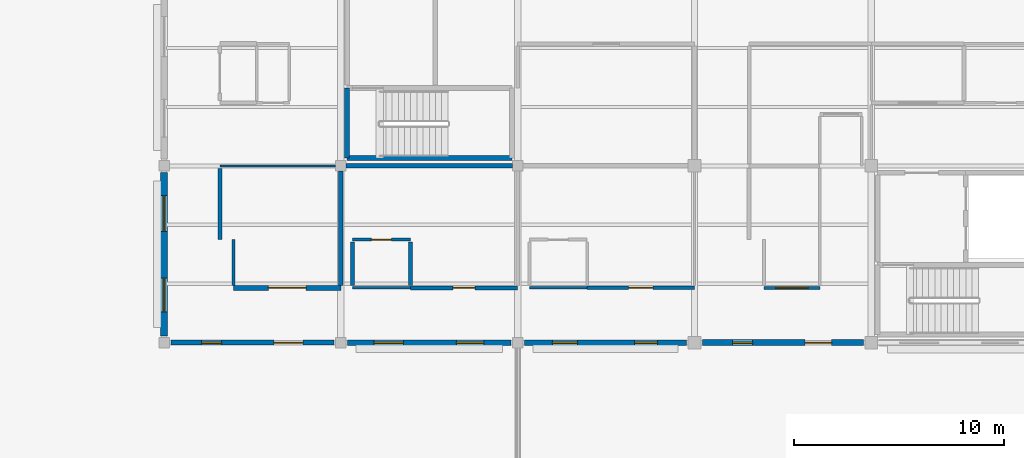
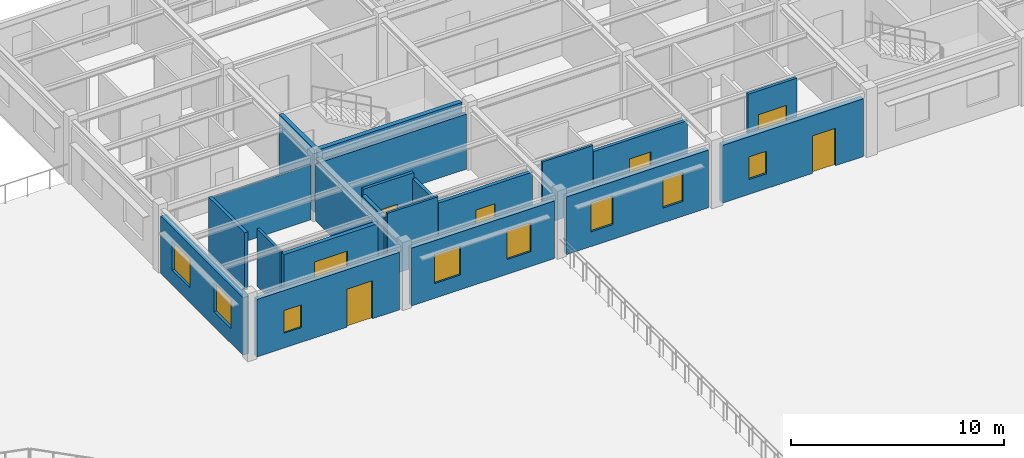
# One storey, part 56 of 86: 21 walls, 8 windows, 7 doors, 15 openings.
"""IFC4 building model written with IfcOpenShell, lengths in metres."""

from ifc_helpers import new_model, si_unit, direction, frame, frame_2d, origin, place, context, subcontext, project, spatial, rectangle, extrude, material, layer, layer_set, type_object, element, fill, save


model = new_model("IFC4")

# Units and contexts
model_context = context("Model", 3, precision=1e-05, world=origin(), true_north=direction((0.0, 1.0)))
body_context = subcontext(model_context, "Body", "Model", "MODEL_VIEW")
ifc_project = project(units=[si_unit("LENGTHUNIT", "METRE"), si_unit("AREAUNIT", "SQUARE_METRE"), si_unit("VOLUMEUNIT", "CUBIC_METRE"), si_unit("PLANEANGLEUNIT", "RADIAN"), si_unit("MASSUNIT", "GRAM", prefix="KILO")], contexts=[model_context])

# Site, building, storey
site_placement = place(None, origin())
site = spatial("IfcSite", under=ifc_project, at=site_placement, CompositionType="ELEMENT")
building_placement = place(site_placement, origin())
building = spatial("IfcBuilding", under=site, at=building_placement, Name="Bramfleet General Hospital", CompositionType="ELEMENT")
storey_placement = place(building_placement, frame((0.0, 0.0, 18.60009765625)))
storey = spatial("IfcBuildingStorey", under=building, at=storey_placement, Name="L04", CompositionType="ELEMENT", Elevation=18.60009765625)

# Wall, openings, windows
ifc_material_1 = material(Name="Precast concrete C40/50", Category="concrete")
ifc_layer_1 = layer(ifc_material_1, 0.3349609375, Name="WT-EW-03")
ifc_layer_set_1 = layer_set([ifc_layer_1], Name="Precast concrete C40/50")
wall_type_1 = type_object("IfcWallType", Name="WT-EW-03", PredefinedType="SOLIDWALL", material=ifc_layer_set_1)
wall_1_placement = place(storey_placement, frame((42.0, 92.72509765625, 0.0), z_axis=(0.0, 0.0, 1.0), x_axis=(0.0, 1.0, 0.0)))
wall_1 = element("IfcWall", 1, at=wall_1_placement, inside=storey, type_object=wall_type_1, Name="L04 Exterior Wall 281", PredefinedType="SOLIDWALL", context=body_context, shape_type="SweptSolid", body=[
    extrude(rectangle(XDim=7.75, YDim=0.3349609375, at=frame_2d((3.875, 0.0))), origin(), (0.0, 0.0, 1.0), 3.2998046875),
])
opening_1_placement = place(wall_1_placement, frame((1.137451171875, 0.0, 0.85009765625)))
opening_1 = element("IfcOpeningElement", 2, at=opening_1_placement, cuts=wall_1, Name="Opening W-36", PredefinedType="OPENING", context=body_context, shape_type="SweptSolid", body=[
    extrude(rectangle(XDim=1.60009765625, YDim=1.659912109375, at=frame_2d((0.800048828125, 0.830078125))), frame((0.0, 0.177490234375, 0.0), z_axis=(0.0, -1.0, 0.0), x_axis=(1.0, 0.0, 0.0)), (0.0, 0.0, 1.0), 0.35498046875),
])
opening_2_placement = place(wall_1_placement, frame((4.96240234375, 0.0, 0.85009765625)))
opening_2 = element("IfcOpeningElement", 3, at=opening_2_placement, cuts=wall_1, Name="Opening W-37", PredefinedType="OPENING", context=body_context, shape_type="SweptSolid", body=[
    extrude(rectangle(XDim=1.699951171875, YDim=1.659912109375, at=frame_2d((0.85009765625, 0.830078125))), frame((0.0, 0.177490234375, 0.0), z_axis=(0.0, -1.0, 0.0), x_axis=(1.0, 0.0, 0.0)), (0.0, 0.0, 1.0), 0.35498046875),
])
ifc_material_2 = material(Name="Anodised aluminium and low-E triple glazing", Category="aluminium")
window_type_1 = type_object("IfcWindowType", Name="WIN-W-36", PartitioningType="SINGLE_PANEL", PredefinedType="WINDOW", material=ifc_material_2)
window_1_placement = place(opening_1_placement, origin())
window_1 = element("IfcWindow", 4, at=window_1_placement, inside=storey, type_object=window_type_1, Name="L04 Facade Window WIN-L04-281-1", OverallHeight=1.659912109375, OverallWidth=1.60009765625, PartitioningType="SINGLE_PANEL", PredefinedType="WINDOW", context=body_context, shape_type="SweptSolid", body=[
    extrude(rectangle(XDim=1.60009765625, YDim=1.659912109375, at=frame_2d((0.800048828125, 0.830078125))), frame((0.0, 0.030029296875, 0.0), z_axis=(0.0, -1.0, 0.0), x_axis=(1.0, 0.0, 0.0)), (0.0, 0.0, 1.0), 0.06005859375),
])
fill(opening_1, window_1)
window_type_2 = type_object("IfcWindowType", Name="WIN-W-37", PartitioningType="SINGLE_PANEL", PredefinedType="WINDOW", material=ifc_material_2)
window_2_placement = place(opening_2_placement, origin())
window_2 = element("IfcWindow", 5, at=window_2_placement, inside=storey, type_object=window_type_2, Name="L04 Facade Window WIN-L04-281-2", OverallHeight=1.659912109375, OverallWidth=1.699951171875, PartitioningType="SINGLE_PANEL", PredefinedType="WINDOW", context=body_context, shape_type="SweptSolid", body=[
    extrude(rectangle(XDim=1.699951171875, YDim=1.659912109375, at=frame_2d((0.85009765625, 0.830078125))), frame((0.0, 0.030029296875, 0.0), z_axis=(0.0, -1.0, 0.0), x_axis=(1.0, 0.0, 0.0)), (0.0, 0.0, 1.0), 0.06005859375),
])
fill(opening_2, window_2)

# Wall, openings, door, window
ifc_layer_2 = layer(ifc_material_1, 0.280029296875, Name="WT-EW-06")
ifc_layer_set_2 = layer_set([ifc_layer_2], Name="Precast concrete C40/50")
wall_type_2 = type_object("IfcWallType", Name="WT-EW-06", PredefinedType="SOLIDWALL", material=ifc_layer_set_2)
wall_2_placement = place(storey_placement, frame((75.22509765625, 92.39990234375, 0.0), z_axis=(0.0, 0.0, 1.0), x_axis=(-1.0, 0.0, 0.0)))
wall_2 = element("IfcWall", 6, at=wall_2_placement, inside=storey, type_object=wall_type_2, Name="L04 Exterior Wall 277", PredefinedType="SOLIDWALL", context=body_context, shape_type="SweptSolid", body=[
    extrude(rectangle(XDim=7.650146484375, YDim=0.280029296875, at=frame_2d((3.8251953125, 0.0))), origin(), (0.0, 0.0, 1.0), 3.309814453125),
])
opening_3_placement = place(wall_2_placement, frame((1.511962890625, 0.0, 0.0)))
opening_3 = element("IfcOpeningElement", 7, at=opening_3_placement, cuts=wall_2, Name="Opening D-L04-TER-021", PredefinedType="OPENING", context=body_context, shape_type="SweptSolid", body=[
    extrude(rectangle(XDim=1.260009765625, YDim=2.14990234375, at=frame_2d((0.6298828125, 1.074951171875))), frame((0.0, 0.14990234375, 0.0), z_axis=(0.0, -1.0, 0.0), x_axis=(1.0, 0.0, 0.0)), (0.0, 0.0, 1.0), 0.300048828125),
])
opening_4_placement = place(wall_2_placement, frame((5.262451171875, 0.0, 0.85009765625)))
opening_4 = element("IfcOpeningElement", 8, at=opening_4_placement, cuts=wall_2, Name="Opening W-01", PredefinedType="OPENING", context=body_context, shape_type="SweptSolid", body=[
    extrude(rectangle(XDim=0.949951171875, YDim=1.300048828125, at=frame_2d((0.47509765625, 0.64990234375))), frame((0.0, 0.14990234375, 0.0), z_axis=(0.0, -1.0, 0.0), x_axis=(1.0, 0.0, 0.0)), (0.0, 0.0, 1.0), 0.300048828125),
])
ifc_material_3 = material(Name="Thermally broken steel and laminated safety glass", Category="steel")
door_type_1 = type_object("IfcDoorType", Name="DR-ED-05", OperationType="NOTDEFINED", PredefinedType="DOOR", material=ifc_material_3)
door_1_placement = place(opening_3_placement, origin())
door_1 = element("IfcDoor", 9, at=door_1_placement, inside=storey, type_object=door_type_1, Name="L04 Terrace/Helipad Access Door D-L04-TER-021", OperationType="SINGLE_SWING_RIGHT", OverallHeight=2.14990234375, OverallWidth=1.260009765625, PredefinedType="DOOR", context=body_context, shape_type="SweptSolid", body=[
    extrude(rectangle(XDim=1.260009765625, YDim=2.14990234375, at=frame_2d((0.6298828125, 1.074951171875))), frame((0.0, 0.02490234375, 0.0), z_axis=(0.0, -1.0, 0.0), x_axis=(1.0, 0.0, 0.0)), (0.0, 0.0, 1.0), 0.050048828125),
])
fill(opening_3, door_1)
window_type_3 = type_object("IfcWindowType", Name="WIN-W-01", PartitioningType="SINGLE_PANEL", PredefinedType="WINDOW", material=ifc_material_2)
window_3_placement = place(opening_4_placement, origin())
window_3 = element("IfcWindow", 10, at=window_3_placement, inside=storey, type_object=window_type_3, Name="L04 Facade Window WIN-L04-277-TER", OverallHeight=1.300048828125, OverallWidth=0.949951171875, PartitioningType="SINGLE_PANEL", PredefinedType="WINDOW", context=body_context, shape_type="SweptSolid", body=[
    extrude(rectangle(XDim=0.949951171875, YDim=1.300048828125, at=frame_2d((0.47509765625, 0.64990234375))), frame((0.0, 0.030029296875, 0.0), z_axis=(0.0, -1.0, 0.0), x_axis=(1.0, 0.0, 0.0)), (0.0, 0.0, 1.0), 0.06005859375),
])
fill(opening_4, window_3)

# Wall, openings, windows
ifc_layer_3 = layer(ifc_material_1, 0.264892578125, Name="WT-EW-07")
ifc_layer_set_3 = layer_set([ifc_layer_3], Name="Precast concrete C40/50")
wall_type_3 = type_object("IfcWallType", Name="WT-EW-07", PredefinedType="SOLIDWALL", material=ifc_layer_set_3)
wall_3_placement = place(storey_placement, frame((66.824951171875, 92.39990234375, 0.0), z_axis=(0.0, 0.0, 1.0), x_axis=(-1.0, 0.0, 0.0)))
wall_3 = element("IfcWall", 11, at=wall_3_placement, inside=storey, type_object=wall_type_3, Name="L04 Exterior Wall 278", PredefinedType="SOLIDWALL", context=body_context, shape_type="SweptSolid", body=[
    extrude(rectangle(XDim=7.699951171875, YDim=0.264892578125, at=frame_2d((3.85009765625, 0.0))), origin(), (0.0, 0.0, 1.0), 3.309814453125),
])
opening_5_placement = place(wall_3_placement, frame((1.375, 0.0, 0.85009765625)))
opening_5 = element("IfcOpeningElement", 12, at=opening_5_placement, cuts=wall_3, Name="Opening W-31", PredefinedType="OPENING", context=body_context, shape_type="SweptSolid", body=[
    extrude(rectangle(XDim=1.10009765625, YDim=1.659912109375, at=frame_2d((0.550048828125, 0.830078125))), frame((0.0, 0.142333984375, 0.0), z_axis=(0.0, -1.0, 0.0), x_axis=(1.0, 0.0, 0.0)), (0.0, 0.0, 1.0), 0.284912109375),
])
opening_6_placement = place(wall_3_placement, frame((5.175048828125, 0.0, 0.85009765625)))
opening_6 = element("IfcOpeningElement", 13, at=opening_6_placement, cuts=wall_3, Name="Opening W-32", PredefinedType="OPENING", context=body_context, shape_type="SweptSolid", body=[
    extrude(rectangle(XDim=1.199951171875, YDim=1.659912109375, at=frame_2d((0.60009765625, 0.830078125))), frame((0.0, 0.142333984375, 0.0), z_axis=(0.0, -1.0, 0.0), x_axis=(1.0, 0.0, 0.0)), (0.0, 0.0, 1.0), 0.284912109375),
])
window_type_4 = type_object("IfcWindowType", Name="WIN-W-31", PartitioningType="SINGLE_PANEL", PredefinedType="WINDOW", material=ifc_material_2)
window_4_placement = place(opening_5_placement, origin())
window_4 = element("IfcWindow", 14, at=window_4_placement, inside=storey, type_object=window_type_4, Name="L04 Facade Window WIN-L04-278-1", OverallHeight=1.659912109375, OverallWidth=1.10009765625, PartitioningType="SINGLE_PANEL", PredefinedType="WINDOW", context=body_context, shape_type="SweptSolid", body=[
    extrude(rectangle(XDim=1.10009765625, YDim=1.659912109375, at=frame_2d((0.550048828125, 0.830078125))), frame((0.0, 0.030029296875, 0.0), z_axis=(0.0, -1.0, 0.0), x_axis=(1.0, 0.0, 0.0)), (0.0, 0.0, 1.0), 0.06005859375),
])
fill(opening_5, window_4)
window_type_5 = type_object("IfcWindowType", Name="WIN-W-32", PartitioningType="SINGLE_PANEL", PredefinedType="WINDOW", material=ifc_material_2)
window_5_placement = place(opening_6_placement, origin())
window_5 = element("IfcWindow", 15, at=window_5_placement, inside=storey, type_object=window_type_5, Name="L04 Facade Window WIN-L04-278-2", OverallHeight=1.659912109375, OverallWidth=1.199951171875, PartitioningType="SINGLE_PANEL", PredefinedType="WINDOW", context=body_context, shape_type="SweptSolid", body=[
    extrude(rectangle(XDim=1.199951171875, YDim=1.659912109375, at=frame_2d((0.60009765625, 0.830078125))), frame((0.0, 0.030029296875, 0.0), z_axis=(0.0, -1.0, 0.0), x_axis=(1.0, 0.0, 0.0)), (0.0, 0.0, 1.0), 0.06005859375),
])
fill(opening_6, window_5)

ifc_layer_4 = layer(ifc_material_1, 0.25, Name="WT-EW-08")
ifc_layer_set_4 = layer_set([ifc_layer_4], Name="Precast concrete C40/50")
wall_type_4 = type_object("IfcWallType", Name="WT-EW-08", PredefinedType="SOLIDWALL", material=ifc_layer_set_4)
wall_4_placement = place(storey_placement, frame((58.47509765625, 92.39990234375, 0.0), z_axis=(0.0, 0.0, 1.0), x_axis=(-1.0, 0.0, 0.0)))
wall_4 = element("IfcWall", 16, at=wall_4_placement, inside=storey, type_object=wall_type_4, Name="L04 Exterior Wall 279", PredefinedType="SOLIDWALL", context=body_context, shape_type="SweptSolid", body=[
    extrude(rectangle(XDim=7.75, YDim=0.25, at=frame_2d((3.875, 0.0))), origin(), (0.0, 0.0, 1.0), 3.309814453125),
])
opening_7_placement = place(wall_4_placement, frame((1.28759765625, 0.0, 0.85009765625)))
opening_7 = element("IfcOpeningElement", 17, at=opening_7_placement, cuts=wall_4, Name="Opening W-33", PredefinedType="OPENING", context=body_context, shape_type="SweptSolid", body=[
    extrude(rectangle(XDim=1.300048828125, YDim=1.659912109375, at=frame_2d((0.64990234375, 0.830078125))), frame((0.0, 0.135009765625, 0.0), z_axis=(0.0, -1.0, 0.0), x_axis=(1.0, 0.0, 0.0)), (0.0, 0.0, 1.0), 0.27001953125),
])
opening_8_placement = place(wall_4_placement, frame((5.112548828125, 0.0, 0.85009765625)))
opening_8 = element("IfcOpeningElement", 18, at=opening_8_placement, cuts=wall_4, Name="Opening W-34", PredefinedType="OPENING", context=body_context, shape_type="SweptSolid", body=[
    extrude(rectangle(XDim=1.39990234375, YDim=1.659912109375, at=frame_2d((0.699951171875, 0.830078125))), frame((0.0, 0.135009765625, 0.0), z_axis=(0.0, -1.0, 0.0), x_axis=(1.0, 0.0, 0.0)), (0.0, 0.0, 1.0), 0.27001953125),
])
window_type_6 = type_object("IfcWindowType", Name="WIN-W-33", PartitioningType="SINGLE_PANEL", PredefinedType="WINDOW", material=ifc_material_2)
window_6_placement = place(opening_7_placement, origin())
window_6 = element("IfcWindow", 19, at=window_6_placement, inside=storey, type_object=window_type_6, Name="L04 Facade Window WIN-L04-279-1", OverallHeight=1.659912109375, OverallWidth=1.300048828125, PartitioningType="SINGLE_PANEL", PredefinedType="WINDOW", context=body_context, shape_type="SweptSolid", body=[
    extrude(rectangle(XDim=1.300048828125, YDim=1.659912109375, at=frame_2d((0.64990234375, 0.830078125))), frame((0.0, 0.030029296875, 0.0), z_axis=(0.0, -1.0, 0.0), x_axis=(1.0, 0.0, 0.0)), (0.0, 0.0, 1.0), 0.06005859375),
])
fill(opening_7, window_6)
window_type_7 = type_object("IfcWindowType", Name="WIN-W-34", PartitioningType="SINGLE_PANEL", PredefinedType="WINDOW", material=ifc_material_2)
window_7_placement = place(opening_8_placement, origin())
window_7 = element("IfcWindow", 20, at=window_7_placement, inside=storey, type_object=window_type_7, Name="L04 Facade Window WIN-L04-279-2", OverallHeight=1.659912109375, OverallWidth=1.39990234375, PartitioningType="SINGLE_PANEL", PredefinedType="WINDOW", context=body_context, shape_type="SweptSolid", body=[
    extrude(rectangle(XDim=1.39990234375, YDim=1.659912109375, at=frame_2d((0.699951171875, 0.830078125))), frame((0.0, 0.030029296875, 0.0), z_axis=(0.0, -1.0, 0.0), x_axis=(1.0, 0.0, 0.0)), (0.0, 0.0, 1.0), 0.06005859375),
])
fill(opening_8, window_7)

# Wall, openings, door, window
ifc_layer_5 = layer(ifc_material_1, 0.235107421875, Name="WT-EW-09")
ifc_layer_set_5 = layer_set([ifc_layer_5], Name="Precast concrete C40/50")
wall_type_5 = type_object("IfcWallType", Name="WT-EW-09", PredefinedType="SOLIDWALL", material=ifc_layer_set_5)
wall_5_placement = place(storey_placement, frame((50.074951171875, 92.39990234375, 0.0), z_axis=(0.0, 0.0, 1.0), x_axis=(-1.0, 0.0, 0.0)))
wall_5 = element("IfcWall", 21, at=wall_5_placement, inside=storey, type_object=wall_type_5, Name="L04 Exterior Wall 280", PredefinedType="SOLIDWALL", context=body_context, shape_type="SweptSolid", body=[
    extrude(rectangle(XDim=7.75, YDim=0.235107421875, at=frame_2d((3.875, 0.0))), origin(), (0.0, 0.0, 1.0), 3.2998046875),
])
opening_9_placement = place(wall_5_placement, frame((1.47998046875, 0.0, 0.0)))
opening_9 = element("IfcOpeningElement", 22, at=opening_9_placement, cuts=wall_5, Name="Opening D-L04-TER-022", PredefinedType="OPENING", context=body_context, shape_type="SweptSolid", body=[
    extrude(rectangle(XDim=1.3798828125, YDim=2.179931640625, at=frame_2d((0.68994140625, 1.08984375))), frame((0.0, 0.12744140625, 0.0), z_axis=(0.0, -1.0, 0.0), x_axis=(1.0, 0.0, 0.0)), (0.0, 0.0, 1.0), 0.255126953125),
])
opening_10_placement = place(wall_5_placement, frame((5.33740234375, 0.0, 0.85009765625)))
opening_10 = element("IfcOpeningElement", 23, at=opening_10_placement, cuts=wall_5, Name="Opening W-01", PredefinedType="OPENING", context=body_context, shape_type="SweptSolid", body=[
    extrude(rectangle(XDim=0.949951171875, YDim=1.300048828125, at=frame_2d((0.47509765625, 0.64990234375))), frame((0.0, 0.12744140625, 0.0), z_axis=(0.0, -1.0, 0.0), x_axis=(1.0, 0.0, 0.0)), (0.0, 0.0, 1.0), 0.255126953125),
])
door_type_2 = type_object("IfcDoorType", Name="DR-ED-04", OperationType="NOTDEFINED", PredefinedType="DOOR", material=ifc_material_3)
door_2_placement = place(opening_9_placement, origin())
door_2 = element("IfcDoor", 24, at=door_2_placement, inside=storey, type_object=door_type_2, Name="L04 Terrace/Helipad Access Door D-L04-TER-022", OperationType="SINGLE_SWING_LEFT", OverallHeight=2.179931640625, OverallWidth=1.3798828125, PredefinedType="DOOR", context=body_context, shape_type="SweptSolid", body=[
    extrude(rectangle(XDim=1.3798828125, YDim=2.179931640625, at=frame_2d((0.68994140625, 1.08984375))), frame((0.0, 0.02490234375, 0.0), z_axis=(0.0, -1.0, 0.0), x_axis=(1.0, 0.0, 0.0)), (0.0, 0.0, 1.0), 0.050048828125),
])
fill(opening_9, door_2)
window_8_placement = place(opening_10_placement, origin())
window_8 = element("IfcWindow", 25, at=window_8_placement, inside=storey, type_object=window_type_3, Name="L04 Facade Window WIN-L04-280-TER", OverallHeight=1.300048828125, OverallWidth=0.949951171875, PartitioningType="SINGLE_PANEL", PredefinedType="WINDOW", context=body_context, shape_type="SweptSolid", body=[
    extrude(rectangle(XDim=0.949951171875, YDim=1.300048828125, at=frame_2d((0.47509765625, 0.64990234375))), frame((0.0, 0.030029296875, 0.0), z_axis=(0.0, -1.0, 0.0), x_axis=(1.0, 0.0, 0.0)), (0.0, 0.0, 1.0), 0.06005859375),
])
fill(opening_10, window_8)

# Wall, opening, door
ifc_material_4 = material(Name="Concrete C35/45", Category="concrete")
ifc_layer_6 = layer(ifc_material_4, 0.219970703125, Name="WT-IW-01")
ifc_layer_set_6 = layer_set([ifc_layer_6], Name="Concrete C35/45")
wall_type_6 = type_object("IfcWallType", Name="WT-IW-01", PredefinedType="PARTITIONING", material=ifc_layer_set_6)
wall_6_placement = place(storey_placement, frame((45.300048828125, 95.0, 0.0), z_axis=(0.0, 0.0, 1.0), x_axis=(1.0, 0.0, 0.0)))
wall_6 = element("IfcWall", 26, at=wall_6_placement, inside=storey, type_object=wall_type_6, Name="L04 Interior Partition IW-L04-3181", PredefinedType="PARTITIONING", context=body_context, shape_type="SweptSolid", body=[
    extrude(rectangle(XDim=5.099853515625, YDim=0.219970703125, at=frame_2d((2.5498046875, 0.0))), origin(), (0.0, 0.0, 1.0), 3.25),
])
opening_11_placement = place(wall_6_placement, frame((1.64990234375, 0.0, 0.0)))
opening_11 = element("IfcOpeningElement", 27, at=opening_11_placement, cuts=wall_6, Name="Opening D1221", PredefinedType="OPENING", context=body_context, shape_type="SweptSolid", body=[
    extrude(rectangle(XDim=1.800048828125, YDim=2.25, at=frame_2d((0.89990234375, 1.125))), frame((0.0, 0.119873046875, 0.0), z_axis=(0.0, -1.0, 0.0), x_axis=(1.0, 0.0, 0.0)), (0.0, 0.0, 1.0), 0.239990234375),
])
ifc_material_5 = material(Name="Stainless steel and acoustic timber leaf", Category="steel")
door_type_3 = type_object("IfcDoorType", Name="DR-D-05", OperationType="NOTDEFINED", PredefinedType="DOOR", material=ifc_material_5)
door_3_placement = place(opening_11_placement, origin())
door_3 = element("IfcDoor", 28, at=door_3_placement, inside=storey, type_object=door_type_3, Name="Surgical Inpatient Ward Bedroom L04-0511 Door D1221", OperationType="DOUBLE_SWING_RIGHT", OverallHeight=2.25, OverallWidth=1.800048828125, PredefinedType="DOOR", context=body_context, shape_type="SweptSolid", body=[
    extrude(rectangle(XDim=1.800048828125, YDim=2.25, at=frame_2d((0.89990234375, 1.125))), frame((0.0, 0.02490234375, 0.0), z_axis=(0.0, -1.0, 0.0), x_axis=(1.0, 0.0, 0.0)), (0.0, 0.0, 1.0), 0.050048828125),
])
fill(opening_11, door_3)

# Walls
wall_7_placement = place(storey_placement, frame((50.64501953125, 100.800048828125, 0.0), z_axis=(0.0, 0.0, 1.0), x_axis=(1.0, 0.0, 0.0)))
element("IfcWall", 29, at=wall_7_placement, inside=storey, type_object=wall_type_6, Name="L04 Interior Partition IW-L04-3205", PredefinedType="PARTITIONING", context=body_context, shape_type="SweptSolid", body=[
    extrude(rectangle(XDim=7.909912109375, YDim=0.219970703125, at=frame_2d((3.955078125, 0.0))), origin(), (0.0, 0.0, 1.0), 3.159912109375),
])
wall_8_placement = place(storey_placement, frame((50.39990234375, 95.114990234375, 0.0), z_axis=(0.0, 0.0, 1.0), x_axis=(0.0, 1.0, 0.0)))
element("IfcWall", 30, at=wall_8_placement, inside=storey, type_object=wall_type_6, Name="L04 Interior Partition IW-L04-3289", PredefinedType="PARTITIONING", context=body_context, shape_type="SweptSolid", body=[
    extrude(rectangle(XDim=5.43994140625, YDim=0.219970703125, at=frame_2d((2.719970703125, 0.0))), origin(), (0.0, 0.0, 1.0), 3.25),
])

# Wall, opening, door
ifc_layer_7 = layer(ifc_material_4, 0.18994140625, Name="WT-IW-03")
ifc_layer_set_7 = layer_set([ifc_layer_7], Name="Concrete C35/45")
wall_type_7 = type_object("IfcWallType", Name="WT-IW-03", PredefinedType="PARTITIONING", material=ifc_layer_set_7)
wall_9_placement = place(storey_placement, frame((53.699951171875, 95.0, 0.0), z_axis=(0.0, 0.0, 1.0), x_axis=(1.0, 0.0, 0.0)))
wall_9 = element("IfcWall", 31, at=wall_9_placement, inside=storey, type_object=wall_type_7, Name="L04 Interior Partition IW-L04-3183", PredefinedType="PARTITIONING", context=body_context, shape_type="SweptSolid", body=[
    extrude(rectangle(XDim=5.10009765625, YDim=0.18994140625, at=frame_2d((2.550048828125, 0.0))), origin(), (0.0, 0.0, 1.0), 3.260009765625),
])
opening_12_placement = place(wall_9_placement, frame((2.02490234375, 0.0, 0.0)))
opening_12 = element("IfcOpeningElement", 32, at=opening_12_placement, cuts=wall_9, Name="Opening D1225", PredefinedType="OPENING", context=body_context, shape_type="SweptSolid", body=[
    extrude(rectangle(XDim=1.050048828125, YDim=2.14990234375, at=frame_2d((0.52490234375, 1.074951171875))), frame((0.0, 0.10498046875, 0.0), z_axis=(0.0, -1.0, 0.0), x_axis=(1.0, 0.0, 0.0)), (0.0, 0.0, 1.0), 0.2099609375),
])
door_type_4 = type_object("IfcDoorType", Name="DR-D-09", OperationType="NOTDEFINED", PredefinedType="DOOR", material=ifc_material_5)
door_4_placement = place(opening_12_placement, origin())
door_4 = element("IfcDoor", 33, at=door_4_placement, inside=storey, type_object=door_type_4, Name="Surgical Inpatient Ward Bedroom L04-0611 Door D1225", OperationType="SINGLE_SWING_RIGHT", OverallHeight=2.14990234375, OverallWidth=1.050048828125, PredefinedType="DOOR", context=body_context, shape_type="SweptSolid", body=[
    extrude(rectangle(XDim=1.050048828125, YDim=2.14990234375, at=frame_2d((0.52490234375, 1.074951171875))), frame((0.0, 0.02490234375, 0.0), z_axis=(0.0, -1.0, 0.0), x_axis=(1.0, 0.0, 0.0)), (0.0, 0.0, 1.0), 0.050048828125),
])
fill(opening_12, door_4)

# Walls
wall_10_placement = place(storey_placement, frame((50.949951171875, 95.114990234375, 0.0), z_axis=(0.0, 0.0, 1.0), x_axis=(0.0, 1.0, 0.0)))
element("IfcWall", 34, at=wall_10_placement, inside=storey, type_object=wall_type_7, Name="L04 Interior Partition IW-L04-3291", PredefinedType="PARTITIONING", context=body_context, shape_type="SweptSolid", body=[
    extrude(rectangle(XDim=2.070068359375, YDim=0.18994140625, at=frame_2d((1.03515625, 0.0))), origin(), (0.0, 0.0, 1.0), 3.309814453125),
])
ifc_layer_8 = layer(ifc_material_4, 0.179931640625, Name="WT-IW-04")
ifc_layer_set_8 = layer_set([ifc_layer_8], Name="Concrete C35/45")
wall_type_8 = type_object("IfcWallType", Name="WT-IW-04", PredefinedType="PARTITIONING", material=ifc_layer_set_8)
wall_11_placement = place(storey_placement, frame((44.64990234375, 97.300048828125, 0.0), z_axis=(0.0, 0.0, 1.0), x_axis=(0.0, 1.0, 0.0)))
element("IfcWall", 35, at=wall_11_placement, inside=storey, type_object=wall_type_8, Name="L04 Interior Partition IW-L04-3280", PredefinedType="PARTITIONING", context=body_context, shape_type="SweptSolid", body=[
    extrude(rectangle(XDim=3.385009765625, YDim=0.179931640625, at=frame_2d((1.6923828125, 0.0))), origin(), (0.0, 0.0, 1.0), 3.2998046875),
])
wall_12_placement = place(storey_placement, frame((53.699951171875, 95.114990234375, 0.0), z_axis=(0.0, 0.0, 1.0), x_axis=(0.0, 1.0, 0.0)))
element("IfcWall", 36, at=wall_12_placement, inside=storey, type_object=wall_type_8, Name="L04 Interior Partition IW-L04-3292", PredefinedType="PARTITIONING", context=body_context, shape_type="SweptSolid", body=[
    extrude(rectangle(XDim=2.070068359375, YDim=0.179931640625, at=frame_2d((1.03515625, 0.0))), origin(), (0.0, 0.0, 1.0), 3.309814453125),
])

# Wall, opening, door
ifc_material_6 = material(Name="Gypsum plasterboard on acoustic steel studs", Category="steel")
ifc_layer_9 = layer(ifc_material_6, 0.169921875, Name="WT-IW-05")
ifc_layer_set_9 = layer_set([ifc_layer_9], Name="Gypsum plasterboard on acoustic steel studs")
wall_type_9 = type_object("IfcWallType", Name="WT-IW-05", PredefinedType="PARTITIONING", material=ifc_layer_set_9)
wall_13_placement = place(storey_placement, frame((62.10009765625, 95.0, 0.0), z_axis=(0.0, 0.0, 1.0), x_axis=(1.0, 0.0, 0.0)))
wall_13 = element("IfcWall", 37, at=wall_13_placement, inside=storey, type_object=wall_type_9, Name="L04 Interior Partition IW-L04-3185", PredefinedType="PARTITIONING", context=body_context, shape_type="SweptSolid", body=[
    extrude(rectangle(XDim=5.099853515625, YDim=0.169921875, at=frame_2d((2.5498046875, 0.0))), origin(), (0.0, 0.0, 1.0), 3.260009765625),
])
opening_13_placement = place(wall_13_placement, frame((1.97509765625, 0.0, 0.0)))
opening_13 = element("IfcOpeningElement", 38, at=opening_13_placement, cuts=wall_13, Name="Opening D1228", PredefinedType="OPENING", context=body_context, shape_type="SweptSolid", body=[
    extrude(rectangle(XDim=1.14990234375, YDim=2.14990234375, at=frame_2d((0.574951171875, 1.074951171875))), frame((0.0, 0.094970703125, 0.0), z_axis=(0.0, -1.0, 0.0), x_axis=(1.0, 0.0, 0.0)), (0.0, 0.0, 1.0), 0.18994140625),
])
door_type_5 = type_object("IfcDoorType", Name="DR-D-12", OperationType="NOTDEFINED", PredefinedType="DOOR", material=ifc_material_5)
door_5_placement = place(opening_13_placement, origin())
door_5 = element("IfcDoor", 39, at=door_5_placement, inside=storey, type_object=door_type_5, Name="Surgical Inpatient Ward Bedroom L04-0711 Door D1228", OperationType="SINGLE_SWING_LEFT", OverallHeight=2.14990234375, OverallWidth=1.14990234375, PredefinedType="DOOR", context=body_context, shape_type="SweptSolid", body=[
    extrude(rectangle(XDim=1.14990234375, YDim=2.14990234375, at=frame_2d((0.574951171875, 1.074951171875))), frame((0.0, 0.02490234375, 0.0), z_axis=(0.0, -1.0, 0.0), x_axis=(1.0, 0.0, 0.0)), (0.0, 0.0, 1.0), 0.050048828125),
])
fill(opening_13, door_5)

ifc_layer_10 = layer(ifc_material_6, 0.159912109375, Name="WT-IW-06")
ifc_layer_set_10 = layer_set([ifc_layer_10], Name="Gypsum plasterboard on acoustic steel studs")
wall_type_10 = type_object("IfcWallType", Name="WT-IW-06", PredefinedType="PARTITIONING", material=ifc_layer_set_10)
wall_14_placement = place(storey_placement, frame((70.5, 95.0, 0.0), z_axis=(0.0, 0.0, 1.0), x_axis=(1.0, 0.0, 0.0)))
wall_14 = element("IfcWall", 40, at=wall_14_placement, inside=storey, type_object=wall_type_10, Name="L04 Interior Partition IW-L04-3186", PredefinedType="PARTITIONING", context=body_context, shape_type="SweptSolid", body=[
    extrude(rectangle(XDim=2.64990234375, YDim=0.159912109375, at=frame_2d((1.324951171875, 0.0))), origin(), (0.0, 0.0, 1.0), 3.60986328125),
])
opening_14_placement = place(wall_14_placement, frame((0.554931640625, 0.0, 0.0)))
opening_14 = element("IfcOpeningElement", 41, at=opening_14_placement, cuts=wall_14, Name="Opening D1233", PredefinedType="OPENING", context=body_context, shape_type="SweptSolid", body=[
    extrude(rectangle(XDim=1.5400390625, YDim=2.239990234375, at=frame_2d((0.77001953125, 1.1201171875))), frame((0.0, 0.08984375, 0.0), z_axis=(0.0, -1.0, 0.0), x_axis=(1.0, 0.0, 0.0)), (0.0, 0.0, 1.0), 0.179931640625),
])
door_type_6 = type_object("IfcDoorType", Name="DR-D-17", OperationType="NOTDEFINED", PredefinedType="DOOR", material=ifc_material_5)
door_6_placement = place(opening_14_placement, origin())
door_6 = element("IfcDoor", 42, at=door_6_placement, inside=storey, type_object=door_type_6, Name="Surgical Inpatient Ward Bedroom L04-0811 Door D1233", OperationType="SINGLE_SWING_RIGHT", OverallHeight=2.239990234375, OverallWidth=1.5400390625, PredefinedType="DOOR", context=body_context, shape_type="SweptSolid", body=[
    extrude(rectangle(XDim=1.5400390625, YDim=2.239990234375, at=frame_2d((0.77001953125, 1.1201171875))), frame((0.0, 0.02490234375, 0.0), z_axis=(0.0, -1.0, 0.0), x_axis=(1.0, 0.0, 0.0)), (0.0, 0.0, 1.0), 0.050048828125),
])
fill(opening_14, door_6)

wall_15_placement = place(storey_placement, frame((50.949951171875, 97.300048828125, 0.0), z_axis=(0.0, 0.0, 1.0), x_axis=(1.0, 0.0, 0.0)))
wall_15 = element("IfcWall", 43, at=wall_15_placement, inside=storey, type_object=wall_type_10, Name="L04 Interior Partition IW-L04-3198", PredefinedType="PARTITIONING", context=body_context, shape_type="SweptSolid", body=[
    extrude(rectangle(XDim=2.75, YDim=0.159912109375, at=frame_2d((1.375, 0.0))), origin(), (0.0, 0.0, 1.0), 3.60986328125),
])
opening_15_placement = place(wall_15_placement, frame((0.89990234375, 0.0, 0.0)))
opening_15 = element("IfcOpeningElement", 44, at=opening_15_placement, cuts=wall_15, Name="Opening D1226", PredefinedType="OPENING", context=body_context, shape_type="SweptSolid", body=[
    extrude(rectangle(XDim=0.949951171875, YDim=2.10009765625, at=frame_2d((0.47509765625, 1.050048828125))), frame((0.0, 0.08984375, 0.0), z_axis=(0.0, -1.0, 0.0), x_axis=(1.0, 0.0, 0.0)), (0.0, 0.0, 1.0), 0.179931640625),
])
door_type_7 = type_object("IfcDoorType", Name="DR-D-10", OperationType="NOTDEFINED", PredefinedType="DOOR", material=ifc_material_5)
door_7_placement = place(opening_15_placement, origin())
door_7 = element("IfcDoor", 45, at=door_7_placement, inside=storey, type_object=door_type_7, Name="En-Suite Bathroom L04-0611 Door D1226", OperationType="SINGLE_SWING_LEFT", OverallHeight=2.10009765625, OverallWidth=0.949951171875, PredefinedType="DOOR", context=body_context, shape_type="SweptSolid", body=[
    extrude(rectangle(XDim=0.949951171875, YDim=2.10009765625, at=frame_2d((0.47509765625, 1.050048828125))), frame((0.0, 0.02490234375, 0.0), z_axis=(0.0, -1.0, 0.0), x_axis=(1.0, 0.0, 0.0)), (0.0, 0.0, 1.0), 0.050048828125),
])
fill(opening_15, door_7)

# Walls
ifc_layer_11 = layer(ifc_material_6, 0.14990234375, Name="WT-IW-07")
ifc_layer_set_11 = layer_set([ifc_layer_11], Name="Gypsum plasterboard on acoustic steel studs")
wall_type_11 = type_object("IfcWallType", Name="WT-IW-07", PredefinedType="PARTITIONING", material=ifc_layer_set_11)
wall_16_placement = place(storey_placement, frame((45.300048828125, 95.114990234375, 0.0), z_axis=(0.0, 0.0, 1.0), x_axis=(0.0, 1.0, 0.0)))
element("IfcWall", 46, at=wall_16_placement, inside=storey, type_object=wall_type_11, Name="L04 Interior Partition IW-L04-3283", PredefinedType="PARTITIONING", context=body_context, shape_type="SweptSolid", body=[
    extrude(rectangle(XDim=2.18505859375, YDim=0.14990234375, at=frame_2d((1.092529296875, 0.0))), origin(), (0.0, 0.0, 1.0), 3.2998046875),
])
ifc_layer_12 = layer(ifc_material_6, 0.1201171875, Name="WT-IW-10")
ifc_layer_set_12 = layer_set([ifc_layer_12], Name="Gypsum plasterboard on acoustic steel studs")
wall_type_12 = type_object("IfcWallType", Name="WT-IW-10", PredefinedType="PARTITIONING", material=ifc_layer_set_12)
for number, where, z_axis, x_axis, name in (
    (47, (50.949951171875, 95.0, 0.0), (0.0, 0.0, 1.0), (1.0, 0.0, 0.0), "L04 Interior Partition IW-L04-3182"),
    (48, (59.35009765625, 95.0, 0.0), (0.0, 0.0, 1.0), (1.0, 0.0, 0.0), "L04 Interior Partition IW-L04-3184"),
):
    element("IfcWall", number, at=place(storey_placement, frame(where, z_axis=z_axis, x_axis=x_axis)), inside=storey, type_object=wall_type_12, Name=name, PredefinedType="PARTITIONING", context=body_context, shape_type="SweptSolid", body=[
        extrude(rectangle(XDim=2.75, YDim=0.1201171875, at=frame_2d((1.375, 0.0))), origin(), (0.0, 0.0, 1.0), 3.60986328125),
    ])
ifc_layer_13 = layer(ifc_material_6, 0.10009765625, Name="WT-IW-12")
ifc_layer_set_13 = layer_set([ifc_layer_13], Name="Gypsum plasterboard on acoustic steel studs")
wall_type_13 = type_object("IfcWallType", Name="WT-IW-12", PredefinedType="PARTITIONING", material=ifc_layer_set_13)
wall_17_placement = place(storey_placement, frame((44.64990234375, 100.800048828125, 0.0), z_axis=(0.0, 0.0, 1.0), x_axis=(1.0, 0.0, 0.0)))
element("IfcWall", 49, at=wall_17_placement, inside=storey, type_object=wall_type_13, Name="L04 Interior Partition IW-L04-3204", PredefinedType="PARTITIONING", context=body_context, shape_type="SweptSolid", body=[
    extrude(rectangle(XDim=5.505126953125, YDim=0.10009765625, at=frame_2d((2.75244140625, 0.0))), origin(), (0.0, 0.0, 1.0), 3.14990234375),
])
ifc_material_7 = material(Name="Concrete C40/50", Category="concrete")
ifc_layer_14 = layer(ifc_material_7, 0.239990234375, Name="WT-SW-240")
ifc_layer_set_14 = layer_set([ifc_layer_14], Name="Concrete C40/50")
wall_type_14 = type_object("IfcWallType", Name="WT-SW-240", PredefinedType="SHEAR", material=ifc_layer_set_14)
wall_18_placement = place(storey_placement, frame((50.699951171875, 101.179931640625, 0.0), z_axis=(0.0, 0.0, 1.0), x_axis=(1.0, 0.0, 0.0)))
element("IfcWall", 50, at=wall_18_placement, inside=storey, type_object=wall_type_14, Name="L04 C14 South Stair Shear Wall", PredefinedType="SHEAR", context=body_context, shape_type="SweptSolid", body=[
    extrude(rectangle(XDim=7.820068359375, YDim=0.239990234375, at=frame_2d((3.91015625, 0.0))), origin(), (0.0, 0.0, 1.0), 3.619873046875),
])
wall_19_placement = place(storey_placement, frame((50.699951171875, 101.179931640625, 0.0), z_axis=(0.0, 0.0, 1.0), x_axis=(0.0, 1.0, 0.0)))
element("IfcWall", 51, at=wall_19_placement, inside=storey, type_object=wall_type_14, Name="L04 C14 West Stair Shear Wall", PredefinedType="SHEAR", context=body_context, shape_type="SweptSolid", body=[
    extrude(rectangle(XDim=3.320068359375, YDim=0.239990234375, at=frame_2d((1.66015625, 0.0))), origin(), (0.0, 0.0, 1.0), 3.619873046875),
])

save(model, "model.ifc")
